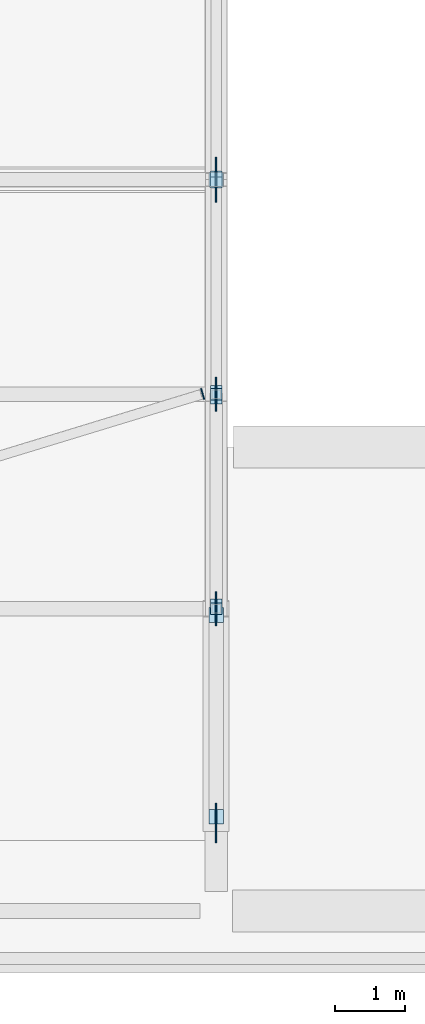
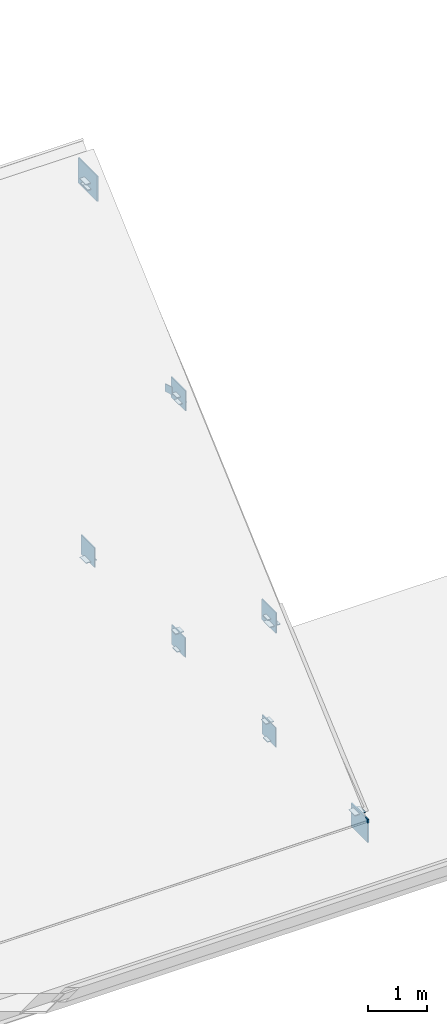
# One storey, part 51 of 86: 21 plates.
"""IFC4 building model written with IfcOpenShell, lengths in metres."""

from ifc_helpers import new_model, si_unit, derived_unit, direction, frame, origin, origin_2d, place, context, subcontext, project, spatial, rectangle, extrude, material, layer, layer_set, type_object, element, save


model = new_model("IFC4")

# Units and contexts
model_context = context("Model", 3, precision=1e-05, world=origin(), true_north=direction((0.0, 1.0)))
body_context = subcontext(model_context, "Body", "Model", "MODEL_VIEW")
ifc_project = project(units=[si_unit("LENGTHUNIT", "METRE"), si_unit("AREAUNIT", "SQUARE_METRE"), si_unit("VOLUMEUNIT", "CUBIC_METRE"), si_unit("PLANEANGLEUNIT", "RADIAN"), si_unit("MASSUNIT", "GRAM", prefix="KILO"), derived_unit("THERMALTRANSMITTANCEUNIT", [(si_unit("POWERUNIT", "WATT"), 1), (si_unit("LENGTHUNIT", "METRE"), -2), (si_unit("THERMODYNAMICTEMPERATUREUNIT", "KELVIN"), -1)])], contexts=[model_context])

# Site, building, storey
site_placement = place(None, origin())
site = spatial("IfcSite", under=ifc_project, at=site_placement, CompositionType="ELEMENT")
building_placement = place(site_placement, origin())
building = spatial("IfcBuilding", under=site, at=building_placement, Name="Braskholm Square Health Centre", CompositionType="ELEMENT")
storey_placement = place(building_placement, frame((0.0, 0.0, 13.5)))
storey = spatial("IfcBuildingStorey", under=building, at=storey_placement, Name="L04", CompositionType="ELEMENT", Elevation=13.5)

# Plates
ifc_material = material(Name="Steel ASTM A572 Grade 50", Category="steel")
ifc_layer_1 = layer(ifc_material, 0.01611328125)
ifc_layer_set_1 = layer_set([ifc_layer_1], Name="Steel ASTM A572 Grade 50")
plate_type_1 = type_object("IfcPlateType", Name="CapPlateHSS152TN8", PredefinedType="USERDEFINED", material=ifc_layer_set_1)
for number, where, z_axis, x_axis, name in (
    (1, (120.39990234375, 91.5, -0.2861328125), (0.0, 0.0, 1.0), (1.0, 0.0, 0.0), "Hollow section end cap plate 0239"),
    (2, (120.39990234375, 91.5, 2.221923828125), (0.0, 0.0, 1.0), (1.0, 0.0, 0.0), "Hollow section end cap plate 0240"),
    (3, (120.39990234375, 94.550048828125, -0.2861328125), (0.0, 0.0, 1.0), (1.0, 0.0, 0.0), "Hollow section end cap plate 0241"),
    (4, (120.39990234375, 94.550048828125, 4.941162109375), (0.0, 0.0, 1.0), (1.0, 0.0, 0.0), "Hollow section end cap plate 0242"),
    (5, (120.39990234375, 91.55908203125, 0.046875), (0.0, 0.0, 1.0), (1.0, 0.0, 0.0), "Hollow section end cap plate 0251"),
    (6, (120.39990234375, 94.490966796875, 4.837890625), (0.0, 0.0, 1.0), (1.0, 0.0, 0.0), "Hollow section end cap plate 0252"),
    (7, (120.39990234375, 94.592041015625, 0.055908203125), (0.0, 0.0, 1.0), (1.0, 0.0, 0.0), "Hollow section end cap plate 0253"),
    (8, (120.39990234375, 97.55810546875, 7.387939453125), (0.0, 0.0, 1.0), (1.0, 0.0, 0.0), "Hollow section end cap plate 0254"),
    (9, (120.39990234375, 97.64208984375, 7.387939453125), (0.0, 0.0, 1.0), (1.0, 0.0, 0.0), "Hollow section end cap plate 0256"),
):
    element("IfcPlate", number, at=place(storey_placement, frame(where, z_axis=z_axis, x_axis=x_axis)), inside=storey, type_object=plate_type_1, Name=name, ObjectType="CAP_PLATE", PredefinedType="USERDEFINED", context=body_context, shape_type="SweptSolid", body=[
        extrude(rectangle(XDim=0.159912109375, YDim=0.159912109375, at=origin_2d()), origin(), (0.0, 0.0, 1.0), 0.01611328125),
    ])
plate_1_placement = place(storey_placement, frame((120.2080078125, 94.552001953125, 5.041015625), z_axis=(0.0, 0.0, 1.0), x_axis=(0.956498453883, 0.291737395134, 0.0)))
element("IfcPlate", 10, at=plate_1_placement, inside=storey, type_object=plate_type_1, Name="Hollow section end cap plate 0322", ObjectType="CAP_PLATE", PredefinedType="USERDEFINED", context=body_context, shape_type="SweptSolid", body=[
    extrude(rectangle(XDim=0.01611328125, YDim=0.159912109375, at=origin_2d()), origin(), (0.0, 0.0, 1.0), 0.159912109375),
])
ifc_layer_2 = layer(ifc_material, 0.01611328125)
ifc_layer_set_2 = layer_set([ifc_layer_2], Name="Steel ASTM A572 Grade 50")
plate_type_2 = type_object("IfcPlateType", Name="CapPlateHSS203TN6", PredefinedType="USERDEFINED", material=ifc_layer_set_2)
for number, where, z_axis, x_axis, name in (
    (11, (120.39990234375, 97.60009765625, -0.2861328125), (0.0, 0.0, 1.0), (1.0, 0.0, 0.0), "Hollow section end cap plate 0243"),
    (12, (120.39990234375, 97.60009765625, 7.5), (0.0, 0.0, 1.0), (1.0, 0.0, 0.0), "Hollow section end cap plate 0244"),
    (13, (120.39990234375, 88.5400390625, 0.017822265625), (0.0, 0.0, 1.0), (1.0, 0.0, 0.0), "Hollow section end cap plate 0249"),
    (14, (120.39990234375, 91.409912109375, 2.14794921875), (0.0, 0.0, 1.0), (1.0, 0.0, 0.0), "Hollow section end cap plate 0250"),
):
    element("IfcPlate", number, at=place(storey_placement, frame(where, z_axis=z_axis, x_axis=x_axis)), inside=storey, type_object=plate_type_2, Name=name, ObjectType="CAP_PLATE", PredefinedType="USERDEFINED", context=body_context, shape_type="SweptSolid", body=[
        extrude(rectangle(XDim=0.2099609375, YDim=0.2099609375, at=origin_2d()), origin(), (0.0, 0.0, 1.0), 0.01611328125),
    ])
ifc_layer_3 = layer(ifc_material, 0.02001953125)
ifc_layer_set_3 = layer_set([ifc_layer_3], Name="Steel ASTM A572 Grade 50")
plate_type_3 = type_object("IfcPlateType", Name="NodeGussetBottomPanelTN3", PredefinedType="USERDEFINED", material=ifc_layer_set_3)
for number, where, z_axis, x_axis, name in (
    (15, (120.39990234375, 91.5, -0.320068359375), (0.0, 0.0, 1.0), (1.0, 0.0, 0.0), "Truss node gusset plate 0264"),
    (16, (120.39990234375, 94.550048828125, -0.320068359375), (0.0, 0.0, 1.0), (1.0, 0.0, 0.0), "Truss node gusset plate 0265"),
    (17, (120.39990234375, 97.60009765625, -0.320068359375), (0.0, 0.0, 1.0), (1.0, 0.0, 0.0), "Truss node gusset plate 0266"),
):
    element("IfcPlate", number, at=place(storey_placement, frame(where, z_axis=z_axis, x_axis=x_axis)), inside=storey, type_object=plate_type_3, Name=name, ObjectType="GUSSET_PLATE", PredefinedType="USERDEFINED", context=body_context, shape_type="SweptSolid", body=[
        extrude(rectangle(XDim=0.02001953125, YDim=0.4599609375, at=origin_2d()), origin(), (0.0, 0.0, 1.0), 0.39990234375),
    ])
ifc_layer_4 = layer(ifc_material, 0.02392578125)
ifc_layer_set_4 = layer_set([ifc_layer_4], Name="Steel ASTM A572 Grade 50")
plate_type_4 = type_object("IfcPlateType", Name="NodeGussetHeelTN1", PredefinedType="USERDEFINED", material=ifc_layer_set_4)
plate_2_placement = place(storey_placement, frame((120.39990234375, 88.449951171875, -0.39990234375), z_axis=(0.0, 0.0, 1.0), x_axis=(1.0, 0.0, 0.0)))
element("IfcPlate", 18, at=plate_2_placement, inside=storey, type_object=plate_type_4, Name="Truss node gusset plate 0261", ObjectType="GUSSET_PLATE", PredefinedType="USERDEFINED", context=body_context, shape_type="SweptSolid", body=[
    extrude(rectangle(XDim=0.02392578125, YDim=0.56005859375, at=origin_2d()), origin(), (0.0, 0.0, 1.0), 0.47998046875),
])
ifc_layer_5 = layer(ifc_material, 0.02392578125)
ifc_layer_set_5 = layer_set([ifc_layer_5], Name="Steel ASTM A572 Grade 50")
plate_type_5 = type_object("IfcPlateType", Name="NodeGussetRidgeTN2", PredefinedType="USERDEFINED", material=ifc_layer_set_5)
plate_3_placement = place(storey_placement, frame((120.39990234375, 97.60009765625, 7.260009765625), z_axis=(0.0, 0.0, 1.0), x_axis=(1.0, 0.0, 0.0)))
element("IfcPlate", 19, at=plate_3_placement, inside=storey, type_object=plate_type_5, Name="Truss node gusset plate 0263", ObjectType="GUSSET_PLATE", PredefinedType="USERDEFINED", context=body_context, shape_type="SweptSolid", body=[
    extrude(rectangle(XDim=0.02392578125, YDim=0.639892578125, at=origin_2d()), origin(), (0.0, 0.0, 1.0), 0.52001953125),
])
ifc_layer_6 = layer(ifc_material, 0.02197265625)
ifc_layer_set_6 = layer_set([ifc_layer_6], Name="Steel ASTM A572 Grade 50")
plate_type_6 = type_object("IfcPlateType", Name="NodeGussetTopPanelTN4", PredefinedType="USERDEFINED", material=ifc_layer_set_6)
for number, where, z_axis, x_axis, name in (
    (20, (120.39990234375, 91.5, 2.031982421875), (0.0, 0.0, 1.0), (1.0, 0.0, 0.0), "Truss node gusset plate 0269"),
    (21, (120.39990234375, 94.550048828125, 4.7509765625), (0.0, 0.0, 1.0), (1.0, 0.0, 0.0), "Truss node gusset plate 0270"),
):
    element("IfcPlate", number, at=place(storey_placement, frame(where, z_axis=z_axis, x_axis=x_axis)), inside=storey, type_object=plate_type_6, Name=name, ObjectType="GUSSET_PLATE", PredefinedType="USERDEFINED", context=body_context, shape_type="SweptSolid", body=[
        extrude(rectangle(XDim=0.02197265625, YDim=0.47998046875, at=origin_2d()), origin(), (0.0, 0.0, 1.0), 0.419921875),
    ])

save(model, "model.ifc")
